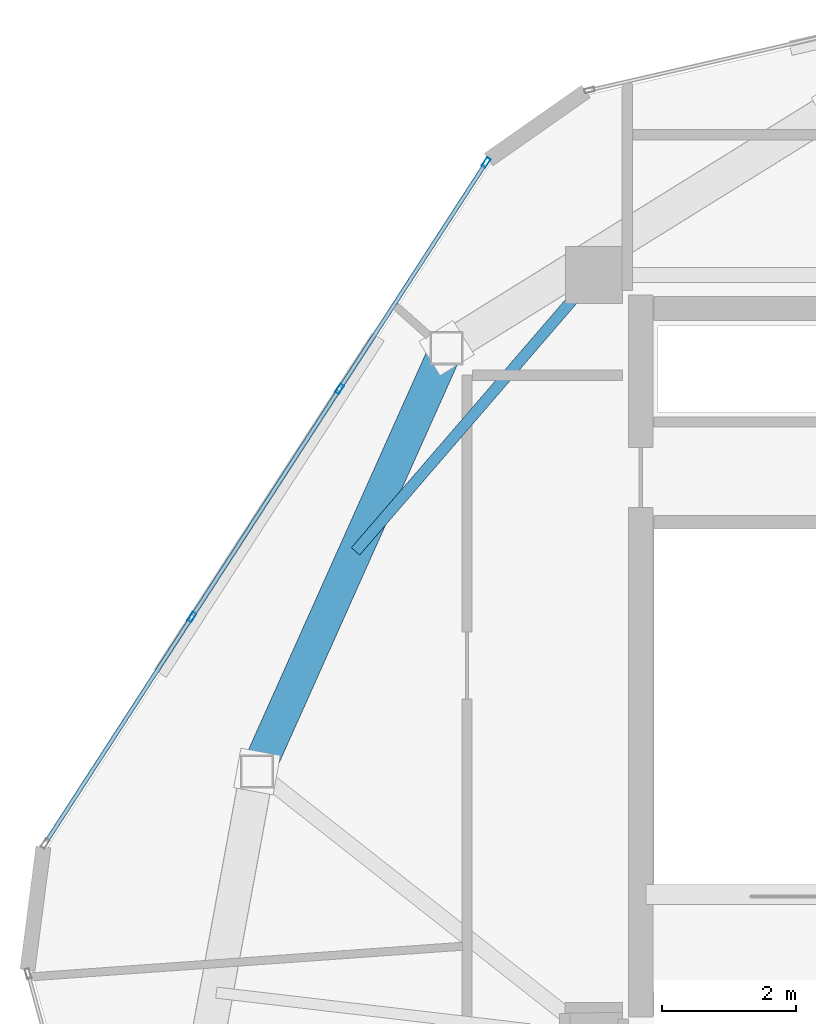
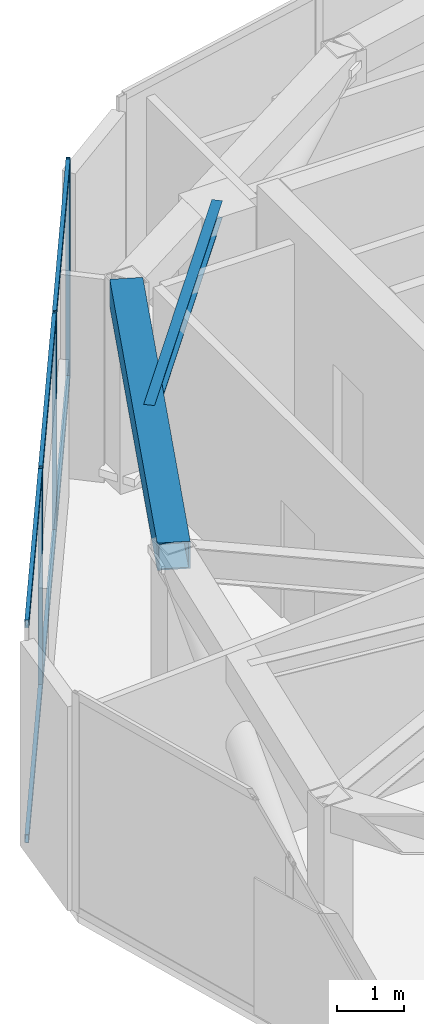
# One storey, part 9 of 20: 9 members, 2 beams, 1 element without a shape of its own.
"""IFC4 building model written with IfcOpenShell, lengths in metres."""

from ifc_helpers import new_model, si_unit, direction, frame, origin, origin_2d, place, context, subcontext, project, spatial, hollow_rectangle, i_section, extrude, source, transform, mapped, material, layer, layer_set, material_profile, profile_set, type_object, type_shapes, element, aggregate, save


model = new_model("IFC4")

# Units and contexts
model_context = context("Model", 3, precision=1e-05, world=origin(), true_north=direction((0.0, 1.0)))
body_context = subcontext(model_context, "Body", "Model", "MODEL_VIEW")
ifc_project = project(units=[si_unit("LENGTHUNIT", "METRE"), si_unit("AREAUNIT", "SQUARE_METRE"), si_unit("VOLUMEUNIT", "CUBIC_METRE"), si_unit("PLANEANGLEUNIT", "RADIAN"), si_unit("MASSUNIT", "GRAM", prefix="KILO")], contexts=[model_context])

# Site, building, storey
site_placement = place(None, origin())
site = spatial("IfcSite", under=ifc_project, at=site_placement, CompositionType="ELEMENT")
building_placement = place(site_placement, origin())
building = spatial("IfcBuilding", under=site, at=building_placement, Name="Talar Marvaseh", CompositionType="ELEMENT")
storey_placement = place(building_placement, frame((0.0, 0.0, 312.0)))
storey = spatial("IfcBuildingStorey", under=building, at=storey_placement, Name="L83", CompositionType="ELEMENT", Elevation=312.0)

# Beams
ifc_material_1 = material(Name="Steel S460", Category="steel")
ifc_material_profile_1 = material_profile(ifc_material_1, hollow_rectangle(XDim=0.5, YDim=0.5, WallThickness=0.02490234375, at=origin_2d()), Name="BOX500x500x25")
ifc_profile_set_1 = profile_set([ifc_material_profile_1], Name="Steel S460")
beam_type_1 = type_object("IfcBeamType", Name="Crown Frame Top Ring Beam BOX500x500x25", PredefinedType="BEAM", material=ifc_profile_set_1)
beam_1_placement = place(storey_placement, frame((13.657958984375, 29.469970703125, 3.47509765625), z_axis=(0.408486346803, 0.912764429892, 0.0), x_axis=(-0.912764429892, 0.408486346803, 0.0)))
element("IfcBeam", 1, at=beam_1_placement, inside=storey, type_object=beam_type_1, Name="L83 Crown Frame Top Ring Beam BOX500x500x25", PredefinedType="BEAM", context=body_context, shape_type="SweptSolid", body=[
    extrude(hollow_rectangle(XDim=0.5, YDim=0.5, WallThickness=0.02490234375, at=origin_2d()), origin(), (0.0, 0.0, 1.0), 6.942626953125),
])
ifc_material_2 = material(Name="Steel S355", Category="steel")
ifc_material_profile_2 = material_profile(ifc_material_2, i_section(OverallWidth=0.166015625, OverallDepth=0.31298828125, WebThickness=0.006591796875, FlangeThickness=0.01123046875, at=origin_2d()), Name="W310x45")
ifc_profile_set_2 = profile_set([ifc_material_profile_2], Name="Steel S355")
beam_type_2 = type_object("IfcBeamType", Name="Zone 3 Secondary Floor Joist W310x45", PredefinedType="JOIST", material=ifc_profile_set_2)
beam_2_placement = place(storey_placement, frame((15.1328125, 32.76513671875, 3.568603515625), z_axis=(0.653221697747, 0.757166701323, 0.0), x_axis=(-0.757166701323, 0.653221697747, 0.0)))
element("IfcBeam", 2, at=beam_2_placement, inside=storey, type_object=beam_type_2, Name="L83 Zone 3 Secondary Floor Joist W310x45", PredefinedType="JOIST", context=body_context, shape_type="SweptSolid", body=[
    extrude(i_section(OverallWidth=0.166015625, OverallDepth=0.31298828125, WebThickness=0.006591796875, FlangeThickness=0.01123046875, at=origin_2d()), origin(), (0.0, 0.0, 1.0), 5.4609375),
])

# Curtain wall, members
ifc_material_3 = material(Name="Architectural Aluminium", Category="aluminium")
ifc_layer = layer(ifc_material_3, 0.2099609375)
ifc_layer_set = layer_set([ifc_layer], Name="Architectural Aluminium")
curtain_wall_type = type_object("IfcCurtainWallType", Name="Crown Plant Acoustic Spandrel Curtain Wall", PredefinedType="NOTDEFINED", material=ifc_layer_set)
curtain_wall_placement = place(storey_placement, origin())
curtain_wall = element("IfcCurtainWall", 3, at=curtain_wall_placement, inside=storey, type_object=curtain_wall_type, Name="L83 Crown Plant Acoustic Spandrel Curtain Wall", PredefinedType="NOTDEFINED")
ifc_material_profile_3 = material_profile(ifc_material_3, hollow_rectangle(XDim=0.06494140625, YDim=0.14990234375, WallThickness=0.00390625, at=origin_2d()), Name="RHS150x65x4")
ifc_profile_set_3 = profile_set([ifc_material_profile_3], Name="Architectural Aluminium")
member_type_1 = type_object("IfcMemberType", Name="Unitised Curtain Wall Slim Transom RHS150x65x4", PredefinedType="USERDEFINED", material=ifc_profile_set_3)
shared_shape_1 = source(origin(), body_context, "Body", "SweptSolid", [
    extrude(hollow_rectangle(XDim=0.06494140625, YDim=0.14990234375, WallThickness=0.00390625, at=origin_2d()), origin(), (0.0, 0.0, 1.0), 3.97119140625),
])
member_1_placement = place(storey_placement, frame((10.505615234375, 28.420166015625, 0.032470703125), z_axis=(0.543656524713, 0.839307799998, 0.0), x_axis=(-0.839307799998, 0.543656524713, 0.0)))
member_1 = element("IfcMember", 4, at=member_1_placement, type_object=member_type_1, Name="CW-CRN transom 1.1", ObjectType="TRANSOM", PredefinedType="USERDEFINED", context=body_context, shape_type="MappedRepresentation", body=[
    mapped(shared_shape_1, transform((0.0, 0.0, 0.0), x_axis=(1.0, 0.0, 0.0), y_axis=(0.0, 1.0, 0.0), z_axis=(0.0, 0.0, 1.0), scale=1.0)),
])
member_2_placement = place(storey_placement, frame((10.505615234375, 28.420166015625, 3.967529296875), z_axis=(0.543656524713, 0.839307799998, 0.0), x_axis=(-0.839307799998, 0.543656524713, 0.0)))
member_2 = element("IfcMember", 5, at=member_2_placement, type_object=member_type_1, Name="CW-CRN transom 1.2", ObjectType="TRANSOM", PredefinedType="USERDEFINED", context=body_context, shape_type="MappedRepresentation", body=[
    mapped(shared_shape_1, transform((0.0, 0.0, 0.0), x_axis=(1.0, 0.0, 0.0), y_axis=(0.0, 1.0, 0.0), z_axis=(0.0, 0.0, 1.0), scale=1.0)),
])
member_3_placement = place(storey_placement, frame((14.911865234375, 35.22265625, 0.032470703125), z_axis=(0.543656524713, 0.839307799998, 0.0), x_axis=(-0.839307799998, 0.543656524713, 0.0)))
member_3 = element("IfcMember", 6, at=member_3_placement, type_object=member_type_1, Name="CW-CRN transom 3.1", ObjectType="TRANSOM", PredefinedType="USERDEFINED", context=body_context, shape_type="MappedRepresentation", body=[
    mapped(shared_shape_1, transform((0.0, 0.0, 0.0), x_axis=(1.0, 0.0, 0.0), y_axis=(0.0, 1.0, 0.0), z_axis=(0.0, 0.0, 1.0), scale=1.0)),
])
member_4_placement = place(storey_placement, frame((14.911865234375, 35.22265625, 3.967529296875), z_axis=(0.543656524713, 0.839307799998, 0.0), x_axis=(-0.839307799998, 0.543656524713, 0.0)))
member_4 = element("IfcMember", 7, at=member_4_placement, type_object=member_type_1, Name="CW-CRN transom 3.2", ObjectType="TRANSOM", PredefinedType="USERDEFINED", context=body_context, shape_type="MappedRepresentation", body=[
    mapped(shared_shape_1, transform((0.0, 0.0, 0.0), x_axis=(1.0, 0.0, 0.0), y_axis=(0.0, 1.0, 0.0), z_axis=(0.0, 0.0, 1.0), scale=1.0)),
])
shared_shape_2 = source(origin(), body_context, "Body", "SweptSolid", [
    extrude(hollow_rectangle(XDim=0.06494140625, YDim=0.14990234375, WallThickness=0.00390625, at=origin_2d()), origin(), (0.0, 0.0, 1.0), 4.003662109375),
])
type_shapes(member_type_1, [shared_shape_1, shared_shape_2])
member_5_placement = place(storey_placement, frame((12.699951171875, 31.807861328125, 0.032470703125), z_axis=(0.54363301369, 0.839323028652, 0.0), x_axis=(-0.839323028652, 0.54363301369, 0.0)))
member_5 = element("IfcMember", 8, at=member_5_placement, type_object=member_type_1, Name="CW-CRN transom 2.1", ObjectType="TRANSOM", PredefinedType="USERDEFINED", context=body_context, shape_type="MappedRepresentation", body=[
    mapped(shared_shape_2, transform((0.0, 0.0, 0.0), x_axis=(1.0, 0.0, 0.0), y_axis=(0.0, 1.0, 0.0), z_axis=(0.0, 0.0, 1.0), scale=1.0)),
])
member_6_placement = place(storey_placement, frame((12.699951171875, 31.807861328125, 3.967529296875), z_axis=(0.54363301369, 0.839323028652, 0.0), x_axis=(-0.839323028652, 0.54363301369, 0.0)))
member_6 = element("IfcMember", 9, at=member_6_placement, type_object=member_type_1, Name="CW-CRN transom 2.2", ObjectType="TRANSOM", PredefinedType="USERDEFINED", context=body_context, shape_type="MappedRepresentation", body=[
    mapped(shared_shape_2, transform((0.0, 0.0, 0.0), x_axis=(1.0, 0.0, 0.0), y_axis=(0.0, 1.0, 0.0), z_axis=(0.0, 0.0, 1.0), scale=1.0)),
])
ifc_material_profile_4 = material_profile(ifc_material_3, hollow_rectangle(XDim=0.06494140625, YDim=0.14990234375, WallThickness=0.00390625, at=origin_2d()), Name="RHS150x65x4")
ifc_profile_set_4 = profile_set([ifc_material_profile_4], Name="Architectural Aluminium")
member_type_2 = type_object("IfcMemberType", Name="Unitised Curtain Wall Slim Mullion RHS150x65x4", PredefinedType="MULLION", material=ifc_profile_set_4)
shared_shape_3 = source(origin(), body_context, "Body", "SweptSolid", [
    extrude(hollow_rectangle(XDim=0.06494140625, YDim=0.14990234375, WallThickness=0.00390625, at=origin_2d()), origin(), (0.0, 0.0, 1.0), 4.0),
])
type_shapes(member_type_2, [shared_shape_3])
member_7_placement = place(storey_placement, frame((12.682373046875, 31.780517578125, 0.0), z_axis=(0.0, 0.0, 1.0), x_axis=(-0.839314430427, 0.543646288387, 0.0)))
member_7 = element("IfcMember", 10, at=member_7_placement, type_object=member_type_2, Name="CW-CRN mullion 2", PredefinedType="MULLION", context=body_context, shape_type="MappedRepresentation", body=[
    mapped(shared_shape_3, transform((0.0, 0.0, 0.0), x_axis=(1.0, 0.0, 0.0), y_axis=(0.0, 1.0, 0.0), z_axis=(0.0, 0.0, 1.0), scale=1.0)),
])
member_8_placement = place(storey_placement, frame((14.894287109375, 35.1953125, 0.0), z_axis=(0.0, 0.0, 1.0), x_axis=(-0.839314430427, 0.543646288387, 0.0)))
member_8 = element("IfcMember", 11, at=member_8_placement, type_object=member_type_2, Name="CW-CRN mullion 3", PredefinedType="MULLION", context=body_context, shape_type="MappedRepresentation", body=[
    mapped(shared_shape_3, transform((0.0, 0.0, 0.0), x_axis=(1.0, 0.0, 0.0), y_axis=(0.0, 1.0, 0.0), z_axis=(0.0, 0.0, 1.0), scale=1.0)),
])
member_9_placement = place(storey_placement, frame((17.08837890625, 38.5830078125, 0.0), z_axis=(0.0, 0.0, 1.0), x_axis=(-0.839314430427, 0.543646288387, 0.0)))
member_9 = element("IfcMember", 12, at=member_9_placement, type_object=member_type_2, Name="CW-CRN mullion 4", PredefinedType="MULLION", context=body_context, shape_type="MappedRepresentation", body=[
    mapped(shared_shape_3, transform((0.0, 0.0, 0.0), x_axis=(1.0, 0.0, 0.0), y_axis=(0.0, 1.0, 0.0), z_axis=(0.0, 0.0, 1.0), scale=1.0)),
])
aggregate(curtain_wall, [member_7, member_8, member_9, member_1, member_2, member_5, member_6, member_3, member_4])

save(model, "model.ifc")
